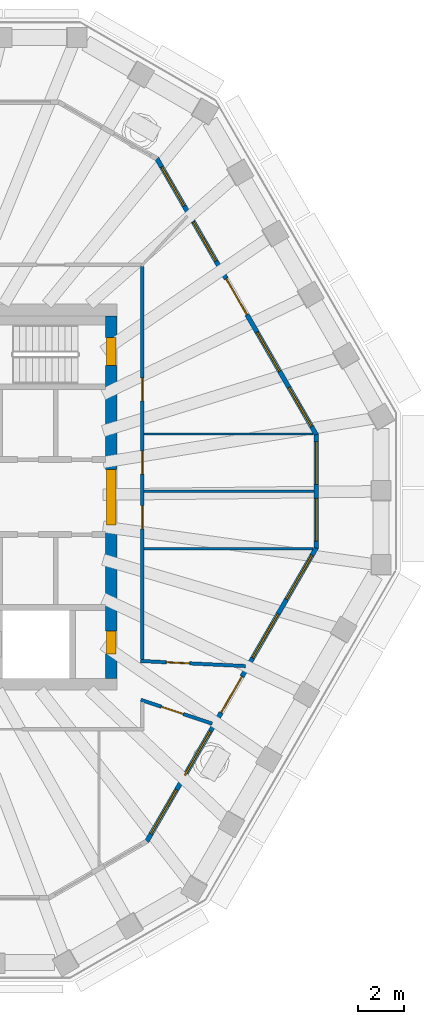
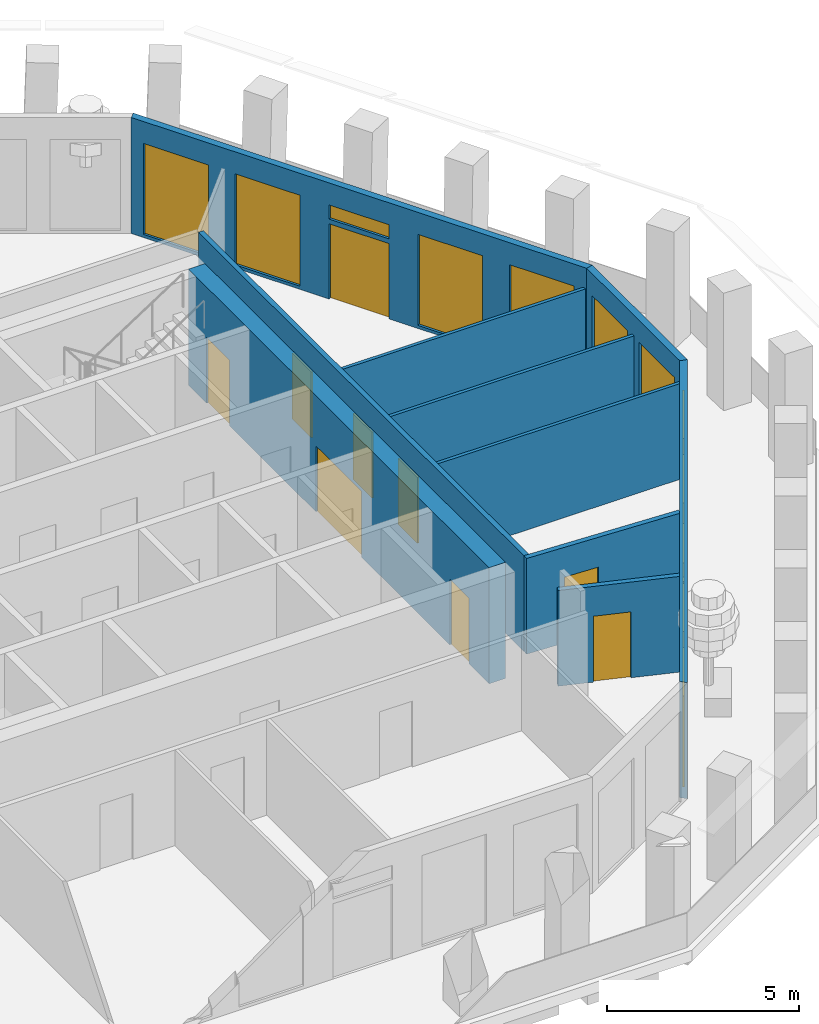
# One storey, part 6 of 11: 12 windows, 10 doors, 10 walls, 22 openings.
"""IFC4 building model written with IfcOpenShell, lengths in metres."""

from ifc_helpers import new_model, si_unit, direction, frame, frame_2d, origin, place, context, subcontext, project, spatial, polyline, rectangle, outline, extrude, material, layer, layer_set, type_object, element, fill, save


model = new_model("IFC4")

# Units and contexts
model_context = context("Model", 3, precision=1e-05, world=origin(), true_north=direction((0.0, 1.0)))
body_context = subcontext(model_context, "Body", "Model", "MODEL_VIEW")
ifc_project = project(units=[si_unit("LENGTHUNIT", "METRE"), si_unit("AREAUNIT", "SQUARE_METRE"), si_unit("VOLUMEUNIT", "CUBIC_METRE"), si_unit("PLANEANGLEUNIT", "RADIAN"), si_unit("MASSUNIT", "GRAM", prefix="KILO")], contexts=[model_context])

# Site, building, storey
site_placement = place(None, origin())
site = spatial("IfcSite", under=ifc_project, at=site_placement, CompositionType="ELEMENT")
building_placement = place(site_placement, origin())
building = spatial("IfcBuilding", under=site, at=building_placement, Name="Frailejon Research Tower", CompositionType="ELEMENT")
storey_placement = place(building_placement, frame((0.0, 0.0, 316.60009765625)))
storey = spatial("IfcBuildingStorey", under=building, at=storey_placement, Name="L70", CompositionType="ELEMENT", Elevation=316.60009765625)

# Wall, openings, doors
ifc_material_1 = material(Name="Concrete C50/60", Category="concrete")
ifc_layer_1 = layer(ifc_material_1, 0.5)
ifc_layer_set_1 = layer_set([ifc_layer_1], Name="Core shear wall 500 C50/60")
wall_type_1 = type_object("IfcWallType", Name="Core shear wall 500 C50/60", PredefinedType="SHEAR", material=ifc_layer_set_1)
wall_1_placement = place(storey_placement, frame((9.60009765625, -7.85009765625, 0.0), z_axis=(0.0, 0.0, 1.0), x_axis=(0.0, 1.0, 0.0)))
wall_1 = element("IfcWall", 1, at=wall_1_placement, inside=storey, type_object=wall_type_1, Name="Core shear wall", PredefinedType="SHEAR", context=body_context, shape_type="SweptSolid", body=[
    extrude(rectangle(XDim=15.7001953125, YDim=0.5, at=frame_2d((7.85009765625, 0.0))), origin(), (0.0, 0.0, 1.0), 3.699951171875),
])
opening_1_placement = place(wall_1_placement, frame((6.64990234375, 0.0, 0.0)))
opening_1 = element("IfcOpeningElement", 2, at=opening_1_placement, cuts=wall_1, Name="Opening D2", PredefinedType="OPENING", context=body_context, shape_type="SweptSolid", body=[
    extrude(rectangle(XDim=2.39990234375, YDim=2.10009765625, at=frame_2d((1.199951171875, 1.050048828125))), frame((0.0, 0.260009765625, 0.0), z_axis=(0.0, -1.0, 0.0), x_axis=(1.0, 0.0, 0.0)), (0.0, 0.0, 1.0), 0.52001953125),
])
opening_2_placement = place(wall_1_placement, frame((13.550048828125, 0.0, 0.0)))
opening_2 = element("IfcOpeningElement", 3, at=opening_2_placement, cuts=wall_1, Name="Opening D1", PredefinedType="OPENING", context=body_context, shape_type="SweptSolid", body=[
    extrude(rectangle(XDim=1.199951171875, YDim=2.10009765625, at=frame_2d((0.60009765625, 1.050048828125))), frame((0.0, 0.260009765625, 0.0), z_axis=(0.0, -1.0, 0.0), x_axis=(1.0, 0.0, 0.0)), (0.0, 0.0, 1.0), 0.52001953125),
])
opening_3_placement = place(wall_1_placement, frame((1.050048828125, 0.0, 0.0)))
opening_3 = element("IfcOpeningElement", 4, at=opening_3_placement, cuts=wall_1, Name="Opening D4", PredefinedType="OPENING", context=body_context, shape_type="SweptSolid", body=[
    extrude(rectangle(XDim=1.0, YDim=2.10009765625, at=frame_2d((0.5, 1.050048828125))), frame((0.0, 0.260009765625, 0.0), z_axis=(0.0, -1.0, 0.0), x_axis=(1.0, 0.0, 0.0)), (0.0, 0.0, 1.0), 0.52001953125),
])
ifc_material_2 = material(Name="Steel", Category="steel")
door_type_1 = type_object("IfcDoorType", Name="Lobby double door", OperationType="DOUBLE_DOOR_SINGLE_SWING", PredefinedType="DOOR", material=ifc_material_2)
door_1_placement = place(opening_1_placement, origin())
door_1 = element("IfcDoor", 5, at=door_1_placement, inside=storey, type_object=door_type_1, Name="Lobby door", OperationType="DOUBLE_DOOR_SINGLE_SWING", OverallHeight=2.10009765625, OverallWidth=2.39990234375, PredefinedType="DOOR", context=body_context, shape_type="SweptSolid", body=[
    extrude(rectangle(XDim=2.39990234375, YDim=2.10009765625, at=frame_2d((1.199951171875, 1.050048828125))), frame((0.0, 0.199951171875, 0.0), z_axis=(0.0, -1.0, 0.0), x_axis=(1.0, 0.0, 0.0)), (0.0, 0.0, 1.0), 0.39990234375),
])
fill(opening_1, door_1)
ifc_material_3 = material(Name="Steel", Category="steel")
door_type_2 = type_object("IfcDoorType", Name="Service door", OperationType="SINGLE_SWING_LEFT", PredefinedType="DOOR", material=ifc_material_3)
door_2_placement = place(opening_3_placement, origin())
door_2 = element("IfcDoor", 6, at=door_2_placement, inside=storey, type_object=door_type_2, Name="Riser door", OperationType="SINGLE_SWING_RIGHT", OverallHeight=2.10009765625, OverallWidth=1.0, PredefinedType="DOOR", context=body_context, shape_type="SweptSolid", body=[
    extrude(rectangle(XDim=1.0, YDim=2.10009765625, at=frame_2d((0.5, 1.050048828125))), frame((0.0, 0.199951171875, 0.0), z_axis=(0.0, -1.0, 0.0), x_axis=(1.0, 0.0, 0.0)), (0.0, 0.0, 1.0), 0.39990234375),
])
fill(opening_3, door_2)
ifc_material_4 = material(Name="Steel", Category="steel")
door_type_3 = type_object("IfcDoorType", Name="Stair door", OperationType="SINGLE_SWING_LEFT", PredefinedType="DOOR", material=ifc_material_4)
door_3_placement = place(opening_2_placement, origin())
door_3 = element("IfcDoor", 7, at=door_3_placement, inside=storey, type_object=door_type_3, Name="Stair door ST3", OperationType="SINGLE_SWING_LEFT", OverallHeight=2.10009765625, OverallWidth=1.199951171875, PredefinedType="DOOR", context=body_context, shape_type="SweptSolid", body=[
    extrude(rectangle(XDim=1.199951171875, YDim=2.10009765625, at=frame_2d((0.60009765625, 1.050048828125))), frame((0.0, 0.199951171875, 0.0), z_axis=(0.0, -1.0, 0.0), x_axis=(1.0, 0.0, 0.0)), (0.0, 0.0, 1.0), 0.39990234375),
])
fill(opening_2, door_3)

ifc_material_5 = material(Name="Gypsum board and masonry partition", Category="masonry")
ifc_layer_2 = layer(ifc_material_5, 0.14990234375)
ifc_layer_set_2 = layer_set([ifc_layer_2], Name="Corridor wall EI 60, gypsum on steel studs 150")
wall_type_2 = type_object("IfcWallType", Name="Corridor wall EI 60, gypsum on steel studs 150", PredefinedType="PARTITIONING", material=ifc_layer_set_2)
wall_2_placement = place(storey_placement, frame((10.949951171875, -7.02490234375, 0.0), z_axis=(0.0, 0.0, 1.0), x_axis=(0.0, 1.0, 0.0)))
wall_2 = element("IfcWall", 8, at=wall_2_placement, inside=storey, type_object=wall_type_2, Name="T:IW:L70:002", PredefinedType="PARTITIONING", context=body_context, shape_type="SweptSolid", body=[
    extrude(rectangle(XDim=17.0, YDim=0.14990234375, at=frame_2d((8.5, 0.0))), origin(), (0.0, 0.0, 1.0), 3.0498046875),
])
opening_4_placement = place(wall_2_placement, frame((8.017578125, 0.0, 0.0)))
opening_4 = element("IfcOpeningElement", 9, at=opening_4_placement, cuts=wall_2, Name="Opening D2315", PredefinedType="OPENING", context=body_context, shape_type="SweptSolid", body=[
    extrude(rectangle(XDim=1.0, YDim=2.10009765625, at=frame_2d((0.5, 1.050048828125))), frame((0.0, 0.0849609375, 0.0), z_axis=(0.0, -1.0, 0.0), x_axis=(1.0, 0.0, 0.0)), (0.0, 0.0, 1.0), 0.169921875),
])
opening_5_placement = place(wall_2_placement, frame((11.191650390625, 0.0, 0.0)))
opening_5 = element("IfcOpeningElement", 10, at=opening_5_placement, cuts=wall_2, Name="Opening D2316", PredefinedType="OPENING", context=body_context, shape_type="SweptSolid", body=[
    extrude(rectangle(XDim=1.0, YDim=2.10009765625, at=frame_2d((0.5, 1.050048828125))), frame((0.0, 0.0849609375, 0.0), z_axis=(0.0, -1.0, 0.0), x_axis=(1.0, 0.0, 0.0)), (0.0, 0.0, 1.0), 0.169921875),
])
opening_6_placement = place(wall_2_placement, frame((5.652587890625, 0.0, 0.0)))
opening_6 = element("IfcOpeningElement", 11, at=opening_6_placement, cuts=wall_2, Name="Opening D2331", PredefinedType="OPENING", context=body_context, shape_type="SweptSolid", body=[
    extrude(rectangle(XDim=1.0, YDim=2.10009765625, at=frame_2d((0.5, 1.050048828125))), frame((0.0, 0.0849609375, 0.0), z_axis=(0.0, -1.0, 0.0), x_axis=(1.0, 0.0, 0.0)), (0.0, 0.0, 1.0), 0.169921875),
])
ifc_material_6 = material(Name="Timber door leaf", Category="wood")
door_type_4 = type_object("IfcDoorType", Name="Door single leaf, timber, steel frame 1000", OperationType="NOTDEFINED", PredefinedType="DOOR", material=ifc_material_6)
door_4_placement = place(opening_4_placement, origin())
door_4 = element("IfcDoor", 12, at=door_4_placement, inside=storey, type_object=door_type_4, Name="D2315", OperationType="SINGLE_SWING_RIGHT", OverallHeight=2.10009765625, OverallWidth=1.0, PredefinedType="DOOR", context=body_context, shape_type="SweptSolid", body=[
    extrude(rectangle(XDim=1.0, YDim=2.10009765625, at=frame_2d((0.5, 1.050048828125))), frame((0.0, 0.02490234375, 0.0), z_axis=(0.0, -1.0, 0.0), x_axis=(1.0, 0.0, 0.0)), (0.0, 0.0, 1.0), 0.050048828125),
])
fill(opening_4, door_4)
door_5_placement = place(opening_5_placement, origin())
door_5 = element("IfcDoor", 13, at=door_5_placement, inside=storey, type_object=door_type_4, Name="D2316", OperationType="SINGLE_SWING_LEFT", OverallHeight=2.10009765625, OverallWidth=1.0, PredefinedType="DOOR", context=body_context, shape_type="SweptSolid", body=[
    extrude(rectangle(XDim=1.0, YDim=2.10009765625, at=frame_2d((0.5, 1.050048828125))), frame((0.0, 0.02490234375, 0.0), z_axis=(0.0, -1.0, 0.0), x_axis=(1.0, 0.0, 0.0)), (0.0, 0.0, 1.0), 0.050048828125),
])
fill(opening_5, door_5)
door_6_placement = place(opening_6_placement, origin())
door_6 = element("IfcDoor", 14, at=door_6_placement, inside=storey, type_object=door_type_4, Name="D2331", OperationType="SINGLE_SWING_LEFT", OverallHeight=2.10009765625, OverallWidth=1.0, PredefinedType="DOOR", context=body_context, shape_type="SweptSolid", body=[
    extrude(rectangle(XDim=1.0, YDim=2.10009765625, at=frame_2d((0.5, 1.050048828125))), frame((0.0, 0.02490234375, 0.0), z_axis=(0.0, -1.0, 0.0), x_axis=(1.0, 0.0, 0.0)), (0.0, 0.0, 1.0), 0.050048828125),
])
fill(opening_6, door_6)

# Wall, opening, door
wall_3_placement = place(storey_placement, frame((10.87890625, -8.776123046875, 0.0), z_axis=(0.0, 0.0, 1.0), x_axis=(0.948345348637, -0.317239814207, 0.0)))
wall_3 = element("IfcWall", 15, at=wall_3_placement, inside=storey, type_object=wall_type_2, Name="T:IW:L70:009", PredefinedType="PARTITIONING", context=body_context, shape_type="SweptSolid", body=[
    extrude(rectangle(XDim=3.256103515625, YDim=0.14990234375, at=frame_2d((1.6279296875, 0.0))), origin(), (0.0, 0.0, 1.0), 3.0498046875),
])
opening_7_placement = place(wall_3_placement, frame((0.943359375, 0.0, 0.0)))
opening_7 = element("IfcOpeningElement", 16, at=opening_7_placement, cuts=wall_3, Name="Opening D2329", PredefinedType="OPENING", context=body_context, shape_type="SweptSolid", body=[
    extrude(rectangle(XDim=1.0, YDim=2.10009765625, at=frame_2d((0.5, 1.050048828125))), frame((0.0, 0.0849609375, 0.0), z_axis=(0.0, -1.0, 0.0), x_axis=(1.0, 0.0, 0.0)), (0.0, 0.0, 1.0), 0.169921875),
])
door_7_placement = place(opening_7_placement, origin())
door_7 = element("IfcDoor", 17, at=door_7_placement, inside=storey, type_object=door_type_4, Name="D2329", OperationType="SINGLE_SWING_RIGHT", OverallHeight=2.10009765625, OverallWidth=1.0, PredefinedType="DOOR", context=body_context, shape_type="SweptSolid", body=[
    extrude(rectangle(XDim=1.0, YDim=2.10009765625, at=frame_2d((0.5, 1.050048828125))), frame((0.0, 0.02490234375, 0.0), z_axis=(0.0, -1.0, 0.0), x_axis=(1.0, 0.0, 0.0)), (0.0, 0.0, 1.0), 0.050048828125),
])
fill(opening_7, door_7)

wall_4_placement = place(storey_placement, frame((10.875, -7.096435546875, 0.0), z_axis=(0.0, 0.0, 1.0), x_axis=(0.998834285397, -0.048270801897, 0.0)))
wall_4 = element("IfcWall", 18, at=wall_4_placement, inside=storey, type_object=wall_type_2, Name="T:IW:L70:010", PredefinedType="PARTITIONING", context=body_context, shape_type="SweptSolid", body=[
    extrude(rectangle(XDim=4.536865234375, YDim=0.14990234375, at=frame_2d((2.2685546875, 0.0))), origin(), (0.0, 0.0, 1.0), 3.0498046875),
])
opening_8_placement = place(wall_4_placement, frame((1.115478515625, 0.0, 0.0)))
opening_8 = element("IfcOpeningElement", 19, at=opening_8_placement, cuts=wall_4, Name="Opening D2330", PredefinedType="OPENING", context=body_context, shape_type="SweptSolid", body=[
    extrude(rectangle(XDim=1.0, YDim=2.10009765625, at=frame_2d((0.5, 1.050048828125))), frame((0.0, 0.0849609375, 0.0), z_axis=(0.0, -1.0, 0.0), x_axis=(1.0, 0.0, 0.0)), (0.0, 0.0, 1.0), 0.169921875),
])
door_8_placement = place(opening_8_placement, origin())
door_8 = element("IfcDoor", 20, at=door_8_placement, inside=storey, type_object=door_type_4, Name="D2330", OperationType="SINGLE_SWING_RIGHT", OverallHeight=2.10009765625, OverallWidth=1.0, PredefinedType="DOOR", context=body_context, shape_type="SweptSolid", body=[
    extrude(rectangle(XDim=1.0, YDim=2.10009765625, at=frame_2d((0.5, 1.050048828125))), frame((0.0, 0.02490234375, 0.0), z_axis=(0.0, -1.0, 0.0), x_axis=(1.0, 0.0, 0.0)), (0.0, 0.0, 1.0), 0.050048828125),
])
fill(opening_8, door_8)

# Walls
ifc_material_7 = material(Name="Gypsum board and masonry partition", Category="masonry")
ifc_layer_3 = layer(ifc_material_7, 0.10009765625)
ifc_layer_set_3 = layer_set([ifc_layer_3], Name="Partition, gypsum on steel studs 100")
wall_type_3 = type_object("IfcWallType", Name="Partition, gypsum on steel studs 100", PredefinedType="PARTITIONING", material=ifc_layer_set_3)
wall_5_placement = place(storey_placement, frame((11.02490234375, 2.73388671875, 0.0), z_axis=(0.0, 0.0, 1.0), x_axis=(1.0, 0.0, 0.0)))
element("IfcWall", 21, at=wall_5_placement, inside=storey, type_object=wall_type_3, Name="T:IW:L70:011", PredefinedType="PARTITIONING", context=body_context, shape_type="SweptSolid", body=[
    extrude(rectangle(XDim=7.31689453125, YDim=0.10009765625, at=frame_2d((3.658447265625, 0.0))), origin(), (0.0, 0.0, 1.0), 3.0498046875),
])
wall_6_placement = place(storey_placement, frame((11.02490234375, 0.25146484375, 0.0), z_axis=(0.0, 0.0, 1.0), x_axis=(1.0, 0.0, 0.0)))
element("IfcWall", 22, at=wall_6_placement, inside=storey, type_object=wall_type_3, Name="T:IW:L70:013", PredefinedType="PARTITIONING", context=body_context, shape_type="SweptSolid", body=[
    extrude(rectangle(XDim=7.347900390625, YDim=0.10009765625, at=frame_2d((3.673828125, 0.0))), origin(), (0.0, 0.0, 1.0), 3.0498046875),
])
wall_7_placement = place(storey_placement, frame((11.02490234375, -2.231201171875, 0.0), z_axis=(0.0, 0.0, 1.0), x_axis=(1.0, 0.0, 0.0)))
element("IfcWall", 23, at=wall_7_placement, inside=storey, type_object=wall_type_3, Name="T:IW:L70:019", PredefinedType="PARTITIONING", context=body_context, shape_type="SweptSolid", body=[
    extrude(rectangle(XDim=7.31689453125, YDim=0.10009765625, at=frame_2d((3.658447265625, 0.0))), origin(), (0.0, 0.0, 1.0), 3.0498046875),
])

# Wall, openings, windows
ifc_material_8 = material(Name="Concrete C40/50 precast window wall panel", Category="concrete")
ifc_layer_4 = layer(ifc_material_8, 0.199951171875)
ifc_layer_set_4 = layer_set([ifc_layer_4], Name="Window wall 200")
wall_type_4 = type_object("IfcWallType", Name="Window wall 200", PredefinedType="SOLIDWALL", material=ifc_layer_set_4)
wall_8_placement = place(storey_placement, frame((18.47265625, -2.204345703125, 0.0), z_axis=(0.0, 0.0, 1.0), x_axis=(0.0, 1.0, 0.0)))
wall_8 = element("IfcWall", 24, at=wall_8_placement, inside=storey, type_object=wall_type_4, Name="Exterior wall L70", PredefinedType="SOLIDWALL", context=body_context, shape_type="SweptSolid", body=[
    extrude(outline(polyline([(-0.02685546875, -0.10009765625), (1.21435546875, -0.10009765625), (2.455810546875, -0.10009765625), (3.697265625, -0.10009765625), (4.9384765625, -0.10009765625), (4.884765625, 0.10009765625), (3.67041015625, 0.10009765625), (2.455810546875, 0.10009765625), (1.2412109375, 0.10009765625), (0.02685546875, 0.10009765625), (-0.02685546875, -0.10009765625)])), origin(), (0.0, 0.0, 1.0), 3.699951171875),
])
opening_9_placement = place(wall_8_placement, frame((0.302978515625, 0.0, 0.10009765625)))
opening_9 = element("IfcOpeningElement", 25, at=opening_9_placement, cuts=wall_8, Name="Opening W26", PredefinedType="OPENING", context=body_context, shape_type="SweptSolid", body=[
    extrude(rectangle(XDim=1.85009765625, YDim=2.89990234375, at=frame_2d((0.925048828125, 1.449951171875))), frame((0.0, 0.10986328125, 0.0), z_axis=(0.0, -1.0, 0.0), x_axis=(1.0, 0.0, 0.0)), (0.0, 0.0, 1.0), 0.219970703125),
])
opening_10_placement = place(wall_8_placement, frame((2.7587890625, 0.0, 0.10009765625)))
opening_10 = element("IfcOpeningElement", 26, at=opening_10_placement, cuts=wall_8, Name="Opening W26", PredefinedType="OPENING", context=body_context, shape_type="SweptSolid", body=[
    extrude(rectangle(XDim=1.85009765625, YDim=2.89990234375, at=frame_2d((0.925048828125, 1.449951171875))), frame((0.0, 0.10986328125, 0.0), z_axis=(0.0, -1.0, 0.0), x_axis=(1.0, 0.0, 0.0)), (0.0, 0.0, 1.0), 0.219970703125),
])
ifc_material_9 = material(Name="Aluminium framed double glazing", Category="aluminium")
window_type_1 = type_object("IfcWindowType", Name="Window 1850x2900", PartitioningType="SINGLE_PANEL", PredefinedType="WINDOW", material=ifc_material_9)
window_1_placement = place(opening_9_placement, origin())
window_1 = element("IfcWindow", 27, at=window_1_placement, inside=storey, type_object=window_type_1, Name="Window L70", OverallHeight=2.89990234375, OverallWidth=1.85009765625, PartitioningType="SINGLE_PANEL", PredefinedType="WINDOW", context=body_context, shape_type="SweptSolid", body=[
    extrude(rectangle(XDim=1.85009765625, YDim=2.89990234375, at=frame_2d((0.925048828125, 1.449951171875))), frame((0.0, 0.030029296875, 0.0), z_axis=(0.0, -1.0, 0.0), x_axis=(1.0, 0.0, 0.0)), (0.0, 0.0, 1.0), 0.06005859375),
])
fill(opening_9, window_1)
window_2_placement = place(opening_10_placement, origin())
window_2 = element("IfcWindow", 28, at=window_2_placement, inside=storey, type_object=window_type_1, Name="Window L70", OverallHeight=2.89990234375, OverallWidth=1.85009765625, PartitioningType="SINGLE_PANEL", PredefinedType="WINDOW", context=body_context, shape_type="SweptSolid", body=[
    extrude(rectangle(XDim=1.85009765625, YDim=2.89990234375, at=frame_2d((0.925048828125, 1.449951171875))), frame((0.0, 0.030029296875, 0.0), z_axis=(0.0, -1.0, 0.0), x_axis=(1.0, 0.0, 0.0)), (0.0, 0.0, 1.0), 0.06005859375),
])
fill(opening_10, window_2)

# Wall, openings, door, windows
wall_9_placement = place(storey_placement, frame((18.47265625, 2.707275390625, 0.0), z_axis=(0.0, 0.0, 1.0), x_axis=(-0.500000477412, 0.866025128151, 0.0)))
wall_9 = element("IfcWall", 29, at=wall_9_placement, inside=storey, type_object=wall_type_4, Name="Exterior wall L70", PredefinedType="SOLIDWALL", context=body_context, shape_type="SweptSolid", body=[
    extrude(outline(polyline([(-0.02685546875, -0.10009765625), (1.03759765625, -0.10009765625), (2.10205078125, -0.10009765625), (3.16650390625, -0.10009765625), (4.230712890625, -0.10009765625), (5.295166015625, -0.10009765625), (6.359619140625, -0.10009765625), (7.424072265625, -0.10009765625), (8.488525390625, -0.10009765625), (9.552978515625, -0.10009765625), (10.6171875, -0.10009765625), (11.681640625, -0.10009765625), (12.74609375, -0.10009765625), (13.810546875, -0.10009765625), (13.7568359375, 0.10009765625), (12.70068359375, 0.10009765625), (11.64453125, 0.10009765625), (10.58837890625, 0.10009765625), (9.5322265625, 0.10009765625), (8.47607421875, 0.10009765625), (7.419921875, 0.10009765625), (6.36376953125, 0.10009765625), (5.3076171875, 0.10009765625), (4.25146484375, 0.10009765625), (3.1953125, 0.10009765625), (2.13916015625, 0.10009765625), (1.0830078125, 0.10009765625), (0.02685546875, 0.10009765625), (-0.02685546875, -0.10009765625)])), origin(), (0.0, 0.0, 1.0), 3.699951171875),
])
opening_11_placement = place(wall_9_placement, frame((0.4033203125, 0.0, 0.10009765625)))
opening_11 = element("IfcOpeningElement", 30, at=opening_11_placement, cuts=wall_9, Name="Opening W27", PredefinedType="OPENING", context=body_context, shape_type="SweptSolid", body=[
    extrude(rectangle(XDim=1.949951171875, YDim=2.89990234375, at=frame_2d((0.97509765625, 1.449951171875))), frame((0.0, 0.10986328125, 0.0), z_axis=(0.0, -1.0, 0.0), x_axis=(1.0, 0.0, 0.0)), (0.0, 0.0, 1.0), 0.219970703125),
])
opening_12_placement = place(wall_9_placement, frame((3.16015625, 0.0, 0.10009765625)))
opening_12 = element("IfcOpeningElement", 31, at=opening_12_placement, cuts=wall_9, Name="Opening W27", PredefinedType="OPENING", context=body_context, shape_type="SweptSolid", body=[
    extrude(rectangle(XDim=1.949951171875, YDim=2.89990234375, at=frame_2d((0.97509765625, 1.449951171875))), frame((0.0, 0.10986328125, 0.0), z_axis=(0.0, -1.0, 0.0), x_axis=(1.0, 0.0, 0.0)), (0.0, 0.0, 1.0), 0.219970703125),
])
opening_13_placement = place(wall_9_placement, frame((5.99169921875, 0.0, 0.0)))
opening_13 = element("IfcOpeningElement", 32, at=opening_13_placement, cuts=wall_9, Name="Opening LG70-1", PredefinedType="OPENING", context=body_context, shape_type="SweptSolid", body=[
    extrude(rectangle(XDim=1.800048828125, YDim=2.39990234375, at=frame_2d((0.89990234375, 1.199951171875))), frame((0.0, 0.10986328125, 0.0), z_axis=(0.0, -1.0, 0.0), x_axis=(1.0, 0.0, 0.0)), (0.0, 0.0, 1.0), 0.219970703125),
])
opening_14_placement = place(wall_9_placement, frame((5.99169921875, 0.0, 2.550048828125)))
opening_14 = element("IfcOpeningElement", 33, at=opening_14_placement, cuts=wall_9, Name="Opening W1", PredefinedType="OPENING", context=body_context, shape_type="SweptSolid", body=[
    extrude(rectangle(XDim=1.800048828125, YDim=0.449951171875, at=frame_2d((0.89990234375, 0.22509765625))), frame((0.0, 0.10986328125, 0.0), z_axis=(0.0, -1.0, 0.0), x_axis=(1.0, 0.0, 0.0)), (0.0, 0.0, 1.0), 0.219970703125),
])
opening_15_placement = place(wall_9_placement, frame((8.673583984375, 0.0, 0.10009765625)))
opening_15 = element("IfcOpeningElement", 34, at=opening_15_placement, cuts=wall_9, Name="Opening W27", PredefinedType="OPENING", context=body_context, shape_type="SweptSolid", body=[
    extrude(rectangle(XDim=1.949951171875, YDim=2.89990234375, at=frame_2d((0.97509765625, 1.449951171875))), frame((0.0, 0.10986328125, 0.0), z_axis=(0.0, -1.0, 0.0), x_axis=(1.0, 0.0, 0.0)), (0.0, 0.0, 1.0), 0.219970703125),
])
opening_16_placement = place(wall_9_placement, frame((11.430419921875, 0.0, 0.10009765625)))
opening_16 = element("IfcOpeningElement", 35, at=opening_16_placement, cuts=wall_9, Name="Opening W27", PredefinedType="OPENING", context=body_context, shape_type="SweptSolid", body=[
    extrude(rectangle(XDim=1.949951171875, YDim=2.89990234375, at=frame_2d((0.97509765625, 1.449951171875))), frame((0.0, 0.10986328125, 0.0), z_axis=(0.0, -1.0, 0.0), x_axis=(1.0, 0.0, 0.0)), (0.0, 0.0, 1.0), 0.219970703125),
])
ifc_material_10 = material(Name="Aluminium framed glazed door leaf", Category="aluminium")
door_type_5 = type_object("IfcDoorType", Name="Loggia door 1800x2400", OperationType="DOUBLE_DOOR_SINGLE_SWING", PredefinedType="DOOR", material=ifc_material_10)
door_9_placement = place(opening_13_placement, origin())
door_9 = element("IfcDoor", 36, at=door_9_placement, inside=storey, type_object=door_type_5, Name="Door LG70-1", OperationType="DOUBLE_DOOR_SINGLE_SWING", OverallHeight=2.39990234375, OverallWidth=1.800048828125, PredefinedType="DOOR", context=body_context, shape_type="SweptSolid", body=[
    extrude(rectangle(XDim=1.800048828125, YDim=2.39990234375, at=frame_2d((0.89990234375, 1.199951171875))), frame((0.0, 0.02490234375, 0.0), z_axis=(0.0, -1.0, 0.0), x_axis=(1.0, 0.0, 0.0)), (0.0, 0.0, 1.0), 0.050048828125),
])
fill(opening_13, door_9)
ifc_material_11 = material(Name="Aluminium framed double glazing", Category="aluminium")
window_type_2 = type_object("IfcWindowType", Name="Window 1800x450", PartitioningType="SINGLE_PANEL", PredefinedType="WINDOW", material=ifc_material_11)
window_3_placement = place(opening_14_placement, origin())
window_3 = element("IfcWindow", 37, at=window_3_placement, inside=storey, type_object=window_type_2, Name="Window L70", OverallHeight=0.449951171875, OverallWidth=1.800048828125, PartitioningType="SINGLE_PANEL", PredefinedType="WINDOW", context=body_context, shape_type="SweptSolid", body=[
    extrude(rectangle(XDim=1.800048828125, YDim=0.449951171875, at=frame_2d((0.89990234375, 0.22509765625))), frame((0.0, 0.030029296875, 0.0), z_axis=(0.0, -1.0, 0.0), x_axis=(1.0, 0.0, 0.0)), (0.0, 0.0, 1.0), 0.06005859375),
])
fill(opening_14, window_3)
ifc_material_12 = material(Name="Aluminium framed double glazing", Category="aluminium")
window_type_3 = type_object("IfcWindowType", Name="Window 1950x2900", PartitioningType="SINGLE_PANEL", PredefinedType="WINDOW", material=ifc_material_12)
window_4_placement = place(opening_11_placement, origin())
window_4 = element("IfcWindow", 38, at=window_4_placement, inside=storey, type_object=window_type_3, Name="Window L70", OverallHeight=2.89990234375, OverallWidth=1.949951171875, PartitioningType="SINGLE_PANEL", PredefinedType="WINDOW", context=body_context, shape_type="SweptSolid", body=[
    extrude(rectangle(XDim=1.949951171875, YDim=2.89990234375, at=frame_2d((0.97509765625, 1.449951171875))), frame((0.0, 0.030029296875, 0.0), z_axis=(0.0, -1.0, 0.0), x_axis=(1.0, 0.0, 0.0)), (0.0, 0.0, 1.0), 0.06005859375),
])
fill(opening_11, window_4)
window_5_placement = place(opening_12_placement, origin())
window_5 = element("IfcWindow", 39, at=window_5_placement, inside=storey, type_object=window_type_3, Name="Window L70", OverallHeight=2.89990234375, OverallWidth=1.949951171875, PartitioningType="SINGLE_PANEL", PredefinedType="WINDOW", context=body_context, shape_type="SweptSolid", body=[
    extrude(rectangle(XDim=1.949951171875, YDim=2.89990234375, at=frame_2d((0.97509765625, 1.449951171875))), frame((0.0, 0.030029296875, 0.0), z_axis=(0.0, -1.0, 0.0), x_axis=(1.0, 0.0, 0.0)), (0.0, 0.0, 1.0), 0.06005859375),
])
fill(opening_12, window_5)
window_6_placement = place(opening_15_placement, origin())
window_6 = element("IfcWindow", 40, at=window_6_placement, inside=storey, type_object=window_type_3, Name="Window L70", OverallHeight=2.89990234375, OverallWidth=1.949951171875, PartitioningType="SINGLE_PANEL", PredefinedType="WINDOW", context=body_context, shape_type="SweptSolid", body=[
    extrude(rectangle(XDim=1.949951171875, YDim=2.89990234375, at=frame_2d((0.97509765625, 1.449951171875))), frame((0.0, 0.030029296875, 0.0), z_axis=(0.0, -1.0, 0.0), x_axis=(1.0, 0.0, 0.0)), (0.0, 0.0, 1.0), 0.06005859375),
])
fill(opening_15, window_6)
window_7_placement = place(opening_16_placement, origin())
window_7 = element("IfcWindow", 41, at=window_7_placement, inside=storey, type_object=window_type_3, Name="Window L70", OverallHeight=2.89990234375, OverallWidth=1.949951171875, PartitioningType="SINGLE_PANEL", PredefinedType="WINDOW", context=body_context, shape_type="SweptSolid", body=[
    extrude(rectangle(XDim=1.949951171875, YDim=2.89990234375, at=frame_2d((0.97509765625, 1.449951171875))), frame((0.0, 0.030029296875, 0.0), z_axis=(0.0, -1.0, 0.0), x_axis=(1.0, 0.0, 0.0)), (0.0, 0.0, 1.0), 0.06005859375),
])
fill(opening_16, window_7)

wall_10_placement = place(storey_placement, frame((11.1455078125, -14.8955078125, 0.0), z_axis=(0.0, 0.0, 1.0), x_axis=(0.499995013995, 0.866028282437, 0.0)))
wall_10 = element("IfcWall", 42, at=wall_10_placement, inside=storey, type_object=wall_type_4, Name="Exterior wall L70", PredefinedType="SOLIDWALL", context=body_context, shape_type="SweptSolid", body=[
    extrude(outline(polyline([(-0.02685546875, -0.10009765625), (1.023681640625, -0.10009765625), (2.07421875, -0.10009765625), (3.125, -0.10009765625), (4.175537109375, -0.10009765625), (5.22607421875, -0.10009765625), (6.276611328125, -0.10009765625), (7.3271484375, -0.10009765625), (8.3779296875, -0.10009765625), (9.428466796875, -0.10009765625), (10.47900390625, -0.10009765625), (11.529541015625, -0.10009765625), (12.580322265625, -0.10009765625), (13.630859375, -0.10009765625), (14.681396484375, -0.10009765625), (14.627685546875, 0.10009765625), (13.584716796875, 0.10009765625), (12.541748046875, 0.10009765625), (11.4990234375, 0.10009765625), (10.4560546875, 0.10009765625), (9.4130859375, 0.10009765625), (8.3701171875, 0.10009765625), (7.3271484375, 0.10009765625), (6.284423828125, 0.10009765625), (5.241455078125, 0.10009765625), (4.198486328125, 0.10009765625), (3.155517578125, 0.10009765625), (2.11279296875, 0.10009765625), (1.06982421875, 0.10009765625), (0.02685546875, 0.10009765625), (-0.02685546875, -0.10009765625)])), origin(), (0.0, 0.0, 1.0), 3.699951171875),
])
opening_17_placement = place(wall_10_placement, frame((0.365478515625, 0.0, 0.10009765625)))
opening_17 = element("IfcOpeningElement", 43, at=opening_17_placement, cuts=wall_10, Name="Opening W28", PredefinedType="OPENING", context=body_context, shape_type="SweptSolid", body=[
    extrude(rectangle(XDim=2.199951171875, YDim=2.89990234375, at=frame_2d((1.10009765625, 1.449951171875))), frame((0.0, 0.10986328125, 0.0), z_axis=(0.0, -1.0, 0.0), x_axis=(1.0, 0.0, 0.0)), (0.0, 0.0, 1.0), 0.219970703125),
])
opening_18_placement = place(wall_10_placement, frame((3.29638671875, 0.0, 0.10009765625)))
opening_18 = element("IfcOpeningElement", 44, at=opening_18_placement, cuts=wall_10, Name="Opening W28", PredefinedType="OPENING", context=body_context, shape_type="SweptSolid", body=[
    extrude(rectangle(XDim=2.199951171875, YDim=2.89990234375, at=frame_2d((1.10009765625, 1.449951171875))), frame((0.0, 0.10986328125, 0.0), z_axis=(0.0, -1.0, 0.0), x_axis=(1.0, 0.0, 0.0)), (0.0, 0.0, 1.0), 0.219970703125),
])
opening_19_placement = place(wall_10_placement, frame((6.42724609375, 0.0, 0.0)))
opening_19 = element("IfcOpeningElement", 45, at=opening_19_placement, cuts=wall_10, Name="Opening LG70-6", PredefinedType="OPENING", context=body_context, shape_type="SweptSolid", body=[
    extrude(rectangle(XDim=1.800048828125, YDim=2.39990234375, at=frame_2d((0.89990234375, 1.199951171875))), frame((0.0, 0.10986328125, 0.0), z_axis=(0.0, -1.0, 0.0), x_axis=(1.0, 0.0, 0.0)), (0.0, 0.0, 1.0), 0.219970703125),
])
opening_20_placement = place(wall_10_placement, frame((6.42724609375, 0.0, 2.550048828125)))
opening_20 = element("IfcOpeningElement", 46, at=opening_20_placement, cuts=wall_10, Name="Opening W1", PredefinedType="OPENING", context=body_context, shape_type="SweptSolid", body=[
    extrude(rectangle(XDim=1.800048828125, YDim=0.449951171875, at=frame_2d((0.89990234375, 0.22509765625))), frame((0.0, 0.10986328125, 0.0), z_axis=(0.0, -1.0, 0.0), x_axis=(1.0, 0.0, 0.0)), (0.0, 0.0, 1.0), 0.219970703125),
])
opening_21_placement = place(wall_10_placement, frame((9.158203125, 0.0, 0.10009765625)))
opening_21 = element("IfcOpeningElement", 47, at=opening_21_placement, cuts=wall_10, Name="Opening W28", PredefinedType="OPENING", context=body_context, shape_type="SweptSolid", body=[
    extrude(rectangle(XDim=2.199951171875, YDim=2.89990234375, at=frame_2d((1.10009765625, 1.449951171875))), frame((0.0, 0.10986328125, 0.0), z_axis=(0.0, -1.0, 0.0), x_axis=(1.0, 0.0, 0.0)), (0.0, 0.0, 1.0), 0.219970703125),
])
opening_22_placement = place(wall_10_placement, frame((12.089111328125, 0.0, 0.10009765625)))
opening_22 = element("IfcOpeningElement", 48, at=opening_22_placement, cuts=wall_10, Name="Opening W28", PredefinedType="OPENING", context=body_context, shape_type="SweptSolid", body=[
    extrude(rectangle(XDim=2.199951171875, YDim=2.89990234375, at=frame_2d((1.10009765625, 1.449951171875))), frame((0.0, 0.10986328125, 0.0), z_axis=(0.0, -1.0, 0.0), x_axis=(1.0, 0.0, 0.0)), (0.0, 0.0, 1.0), 0.219970703125),
])
door_10_placement = place(opening_19_placement, origin())
door_10 = element("IfcDoor", 49, at=door_10_placement, inside=storey, type_object=door_type_5, Name="Door LG70-6", OperationType="DOUBLE_DOOR_SINGLE_SWING", OverallHeight=2.39990234375, OverallWidth=1.800048828125, PredefinedType="DOOR", context=body_context, shape_type="SweptSolid", body=[
    extrude(rectangle(XDim=1.800048828125, YDim=2.39990234375, at=frame_2d((0.89990234375, 1.199951171875))), frame((0.0, 0.02490234375, 0.0), z_axis=(0.0, -1.0, 0.0), x_axis=(1.0, 0.0, 0.0)), (0.0, 0.0, 1.0), 0.050048828125),
])
fill(opening_19, door_10)
window_8_placement = place(opening_20_placement, origin())
window_8 = element("IfcWindow", 50, at=window_8_placement, inside=storey, type_object=window_type_2, Name="Window L70", OverallHeight=0.449951171875, OverallWidth=1.800048828125, PartitioningType="SINGLE_PANEL", PredefinedType="WINDOW", context=body_context, shape_type="SweptSolid", body=[
    extrude(rectangle(XDim=1.800048828125, YDim=0.449951171875, at=frame_2d((0.89990234375, 0.22509765625))), frame((0.0, 0.030029296875, 0.0), z_axis=(0.0, -1.0, 0.0), x_axis=(1.0, 0.0, 0.0)), (0.0, 0.0, 1.0), 0.06005859375),
])
fill(opening_20, window_8)
ifc_material_13 = material(Name="Aluminium framed double glazing", Category="aluminium")
window_type_4 = type_object("IfcWindowType", Name="Window 2200x2900", PartitioningType="SINGLE_PANEL", PredefinedType="WINDOW", material=ifc_material_13)
window_9_placement = place(opening_17_placement, origin())
window_9 = element("IfcWindow", 51, at=window_9_placement, inside=storey, type_object=window_type_4, Name="Window L70", OverallHeight=2.89990234375, OverallWidth=2.199951171875, PartitioningType="SINGLE_PANEL", PredefinedType="WINDOW", context=body_context, shape_type="SweptSolid", body=[
    extrude(rectangle(XDim=2.199951171875, YDim=2.89990234375, at=frame_2d((1.10009765625, 1.449951171875))), frame((0.0, 0.030029296875, 0.0), z_axis=(0.0, -1.0, 0.0), x_axis=(1.0, 0.0, 0.0)), (0.0, 0.0, 1.0), 0.06005859375),
])
fill(opening_17, window_9)
window_10_placement = place(opening_18_placement, origin())
window_10 = element("IfcWindow", 52, at=window_10_placement, inside=storey, type_object=window_type_4, Name="Window L70", OverallHeight=2.89990234375, OverallWidth=2.199951171875, PartitioningType="SINGLE_PANEL", PredefinedType="WINDOW", context=body_context, shape_type="SweptSolid", body=[
    extrude(rectangle(XDim=2.199951171875, YDim=2.89990234375, at=frame_2d((1.10009765625, 1.449951171875))), frame((0.0, 0.030029296875, 0.0), z_axis=(0.0, -1.0, 0.0), x_axis=(1.0, 0.0, 0.0)), (0.0, 0.0, 1.0), 0.06005859375),
])
fill(opening_18, window_10)
window_11_placement = place(opening_21_placement, origin())
window_11 = element("IfcWindow", 53, at=window_11_placement, inside=storey, type_object=window_type_4, Name="Window L70", OverallHeight=2.89990234375, OverallWidth=2.199951171875, PartitioningType="SINGLE_PANEL", PredefinedType="WINDOW", context=body_context, shape_type="SweptSolid", body=[
    extrude(rectangle(XDim=2.199951171875, YDim=2.89990234375, at=frame_2d((1.10009765625, 1.449951171875))), frame((0.0, 0.030029296875, 0.0), z_axis=(0.0, -1.0, 0.0), x_axis=(1.0, 0.0, 0.0)), (0.0, 0.0, 1.0), 0.06005859375),
])
fill(opening_21, window_11)
window_12_placement = place(opening_22_placement, origin())
window_12 = element("IfcWindow", 54, at=window_12_placement, inside=storey, type_object=window_type_4, Name="Window L70", OverallHeight=2.89990234375, OverallWidth=2.199951171875, PartitioningType="SINGLE_PANEL", PredefinedType="WINDOW", context=body_context, shape_type="SweptSolid", body=[
    extrude(rectangle(XDim=2.199951171875, YDim=2.89990234375, at=frame_2d((1.10009765625, 1.449951171875))), frame((0.0, 0.030029296875, 0.0), z_axis=(0.0, -1.0, 0.0), x_axis=(1.0, 0.0, 0.0)), (0.0, 0.0, 1.0), 0.06005859375),
])
fill(opening_22, window_12)

save(model, "model.ifc")
